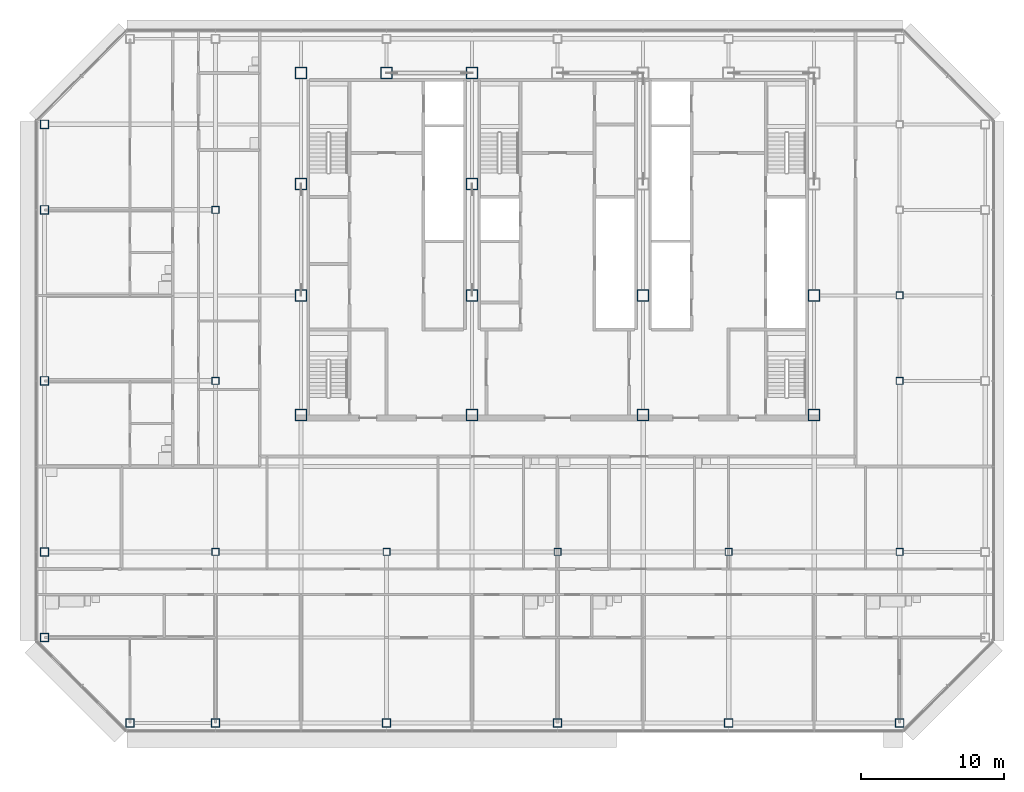
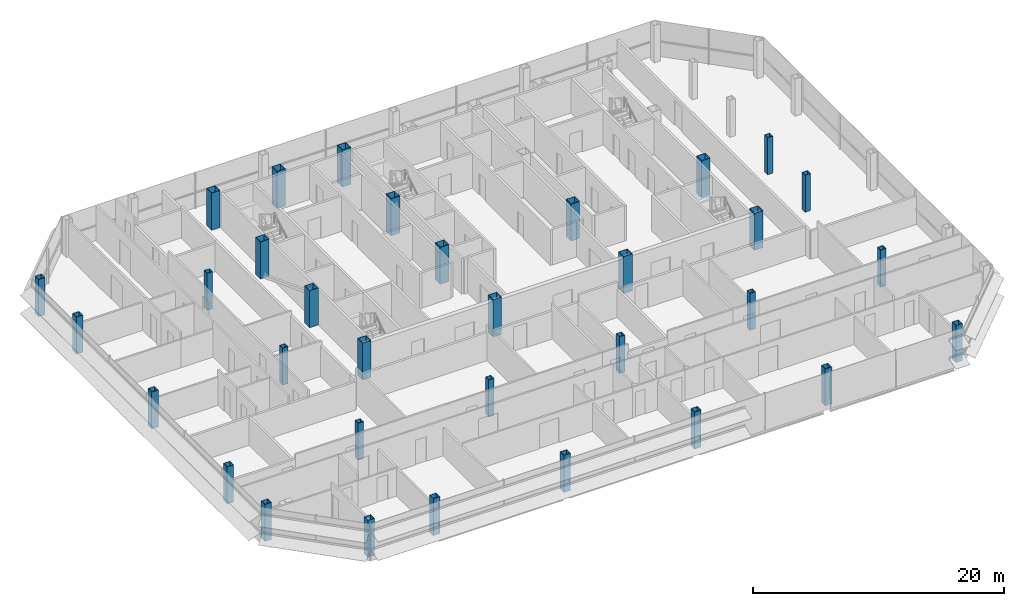
# One storey, part 1 of 28: 33 columns.
"""IFC4 building model written with IfcOpenShell, lengths in metres."""

from ifc_helpers import new_model, si_unit, direction, frame, origin, origin_2d, place, context, subcontext, project, spatial, hollow_rectangle, extrude, material, material_profile, profile_set, type_object, element, save


model = new_model("IFC4")

# Units and contexts
model_context = context("Model", 3, precision=1e-05, world=origin(), true_north=direction((0.0, 1.0)))
body_context = subcontext(model_context, "Body", "Model", "MODEL_VIEW")
ifc_project = project(units=[si_unit("LENGTHUNIT", "METRE"), si_unit("AREAUNIT", "SQUARE_METRE"), si_unit("VOLUMEUNIT", "CUBIC_METRE"), si_unit("PLANEANGLEUNIT", "RADIAN"), si_unit("MASSUNIT", "GRAM", prefix="KILO")], contexts=[model_context])

# Site, building, storey
site_placement = place(None, origin())
site = spatial("IfcSite", under=ifc_project, at=site_placement, CompositionType="ELEMENT")
building_placement = place(site_placement, origin())
building = spatial("IfcBuilding", under=site, at=building_placement, Name="Sorahane Residences", CompositionType="ELEMENT")
storey_placement = place(building_placement, frame((0.0, 0.0, 266.60009765625)))
storey = spatial("IfcBuildingStorey", under=building, at=storey_placement, Name="L63", CompositionType="ELEMENT", Elevation=266.60009765625)

# Columns
ifc_material_1 = material(Name="Steel Q355B", Category="steel")
ifc_material_profile_1 = material_profile(ifc_material_1, hollow_rectangle(XDim=0.5, YDim=0.5, WallThickness=0.02490234375, at=origin_2d()), Name="BOX 500x500x25")
ifc_profile_set_1 = profile_set([ifc_material_profile_1], Name="Steel Q355B")
column_type_1 = type_object("IfcColumnType", Name="Steel box column BOX 500x500x25 Q355B", PredefinedType="COLUMN", material=ifc_profile_set_1)
for number, where, z_axis, x_axis, name in (
    (1, (0.0, 12.0, 0.0), (0.0, 0.0, 1.0), (1.0, 0.0, 0.0), "Column L63 0/12"),
    (2, (0.0, 24.0, 0.0), (0.0, 0.0, 1.0), (1.0, 0.0, 0.0), "Column L63 0/24"),
    (3, (0.0, 36.0, 0.0), (0.0, 0.0, 1.0), (1.0, 0.0, 0.0), "Column L63 0/36"),
    (4, (12.0, 12.0, 0.0), (0.0, 0.0, 1.0), (1.0, 0.0, 0.0), "Column L63 12/12"),
    (5, (24.0, 12.0, 0.0), (0.0, 0.0, 1.0), (1.0, 0.0, 0.0), "Column L63 24/12"),
    (6, (36.0, 12.0, 0.0), (0.0, 0.0, 1.0), (1.0, 0.0, 0.0), "Column L63 36/12"),
    (7, (48.0, 12.0, 0.0), (0.0, 0.0, 1.0), (1.0, 0.0, 0.0), "Column L63 48/12"),
    (8, (48.0, 24.0, 0.0), (0.0, 0.0, 1.0), (1.0, 0.0, 0.0), "Column L63 48/24"),
    (9, (48.0, 30.0, 0.0), (0.0, 0.0, 1.0), (1.0, 0.0, 0.0), "Column L63 48/30"),
):
    element("IfcColumn", number, at=place(storey_placement, frame(where, z_axis=z_axis, x_axis=x_axis)), inside=storey, type_object=column_type_1, Name=name, PredefinedType="COLUMN", context=body_context, shape_type="SweptSolid", body=[
        extrude(hollow_rectangle(XDim=0.5, YDim=0.5, WallThickness=0.02490234375, at=origin_2d()), origin(), (0.0, 0.0, 1.0), 3.599853515625),
    ])
ifc_material_2 = material(Name="Steel Q355B", Category="steel")
ifc_material_profile_2 = material_profile(ifc_material_2, hollow_rectangle(XDim=0.60009765625, YDim=0.60009765625, WallThickness=0.028076171875, at=origin_2d()), Name="BOX 600x600x28")
ifc_profile_set_2 = profile_set([ifc_material_profile_2], Name="Steel Q355B")
column_type_2 = type_object("IfcColumnType", Name="Steel box column BOX 600x600x28 Q355B", PredefinedType="COLUMN", material=ifc_profile_set_2)
for number, where, z_axis, x_axis, name in (
    (10, (-12.0, 6.0, 0.0), (0.0, 0.0, 1.0), (1.0, 0.0, 0.0), "Column L63 m12/6"),
    (11, (-12.0, 12.0, 0.0), (0.0, 0.0, 1.0), (1.0, 0.0, 0.0), "Column L63 m12/12"),
    (12, (-12.0, 24.0, 0.0), (0.0, 0.0, 1.0), (1.0, 0.0, 0.0), "Column L63 m12/24"),
    (13, (-12.0, 36.0, 0.0), (0.0, 0.0, 1.0), (1.0, 0.0, 0.0), "Column L63 m12/36"),
    (14, (-12.0, 42.0, 0.0), (0.0, 0.0, 1.0), (1.0, 0.0, 0.0), "Column L63 m12/42"),
    (15, (-6.0, 0.0, 0.0), (0.0, 0.0, 1.0), (1.0, 0.0, 0.0), "Column L63 m6/0"),
    (16, (0.0, 0.0, 0.0), (0.0, 0.0, 1.0), (1.0, 0.0, 0.0), "Column L63 0/0"),
    (17, (12.0, 0.0, 0.0), (0.0, 0.0, 1.0), (1.0, 0.0, 0.0), "Column L63 12/0"),
    (18, (24.0, 0.0, 0.0), (0.0, 0.0, 1.0), (1.0, 0.0, 0.0), "Column L63 24/0"),
    (19, (36.0, 0.0, 0.0), (0.0, 0.0, 1.0), (1.0, 0.0, 0.0), "Column L63 36/0"),
    (20, (48.0, 0.0, 0.0), (0.0, 0.0, 1.0), (1.0, 0.0, 0.0), "Column L63 48/0"),
):
    element("IfcColumn", number, at=place(storey_placement, frame(where, z_axis=z_axis, x_axis=x_axis)), inside=storey, type_object=column_type_2, Name=name, PredefinedType="COLUMN", context=body_context, shape_type="SweptSolid", body=[
        extrude(hollow_rectangle(XDim=0.60009765625, YDim=0.60009765625, WallThickness=0.028076171875, at=origin_2d()), origin(), (0.0, 0.0, 1.0), 3.599853515625),
    ])
ifc_material_3 = material(Name="Steel Q355B", Category="steel")
ifc_material_profile_3 = material_profile(ifc_material_3, hollow_rectangle(XDim=0.800048828125, YDim=0.800048828125, WallThickness=0.031982421875, at=origin_2d()), Name="BOX 800x800x32")
ifc_profile_set_3 = profile_set([ifc_material_profile_3], Name="Steel Q355B")
column_type_3 = type_object("IfcColumnType", Name="Steel box column BOX 800x800x32 Q355B", PredefinedType="COLUMN", material=ifc_profile_set_3)
for number, where, z_axis, x_axis, name in (
    (21, (6.0, 21.60009765625, 0.0), (0.0, 0.0, 1.0), (1.0, 0.0, 0.0), "Column L63 6/21.6"),
    (22, (6.0, 30.0, 0.0), (0.0, 0.0, 1.0), (1.0, 0.0, 0.0), "Column L63 6/30"),
    (23, (6.0, 37.800048828125, 0.0), (0.0, 0.0, 1.0), (1.0, 0.0, 0.0), "Column L63 6/37.8"),
    (24, (6.0, 45.60009765625, 0.0), (0.0, 0.0, 1.0), (1.0, 0.0, 0.0), "Column L63 6/45.6"),
    (25, (12.0, 45.60009765625, 0.0), (0.0, 0.0, 1.0), (1.0, 0.0, 0.0), "Column L63 12/45.6"),
    (26, (18.0, 21.60009765625, 0.0), (0.0, 0.0, 1.0), (1.0, 0.0, 0.0), "Column L63 18/21.6"),
    (27, (18.0, 30.0, 0.0), (0.0, 0.0, 1.0), (1.0, 0.0, 0.0), "Column L63 18/30"),
    (28, (18.0, 37.800048828125, 0.0), (0.0, 0.0, 1.0), (1.0, 0.0, 0.0), "Column L63 18/37.8"),
    (29, (18.0, 45.60009765625, 0.0), (0.0, 0.0, 1.0), (1.0, 0.0, 0.0), "Column L63 18/45.6"),
    (30, (30.0, 21.60009765625, 0.0), (0.0, 0.0, 1.0), (1.0, 0.0, 0.0), "Column L63 30/21.6"),
    (31, (30.0, 30.0, 0.0), (0.0, 0.0, 1.0), (1.0, 0.0, 0.0), "Column L63 30/30"),
    (32, (42.0, 21.60009765625, 0.0), (0.0, 0.0, 1.0), (1.0, 0.0, 0.0), "Column L63 42/21.6"),
    (33, (42.0, 30.0, 0.0), (0.0, 0.0, 1.0), (1.0, 0.0, 0.0), "Column L63 42/30"),
):
    element("IfcColumn", number, at=place(storey_placement, frame(where, z_axis=z_axis, x_axis=x_axis)), inside=storey, type_object=column_type_3, Name=name, PredefinedType="COLUMN", context=body_context, shape_type="SweptSolid", body=[
        extrude(hollow_rectangle(XDim=0.800048828125, YDim=0.800048828125, WallThickness=0.031982421875, at=origin_2d()), origin(), (0.0, 0.0, 1.0), 3.599853515625),
    ])

save(model, "model.ifc")
